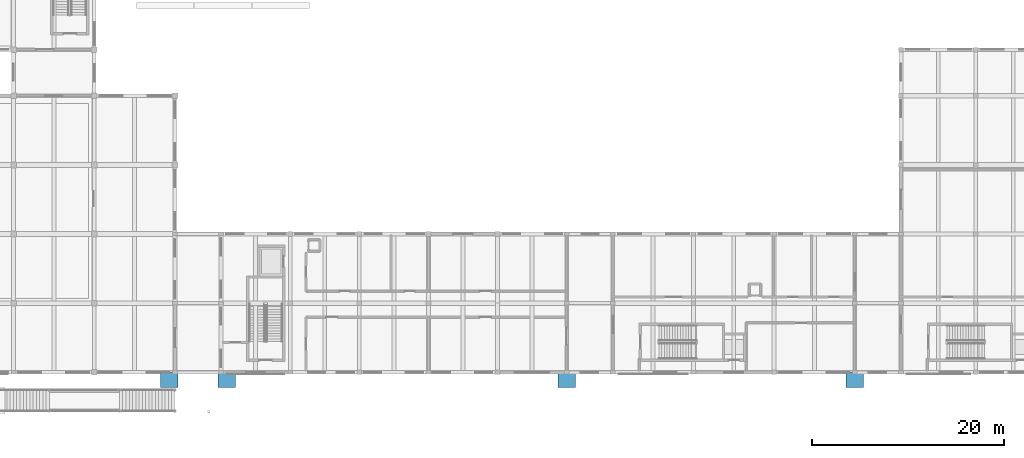
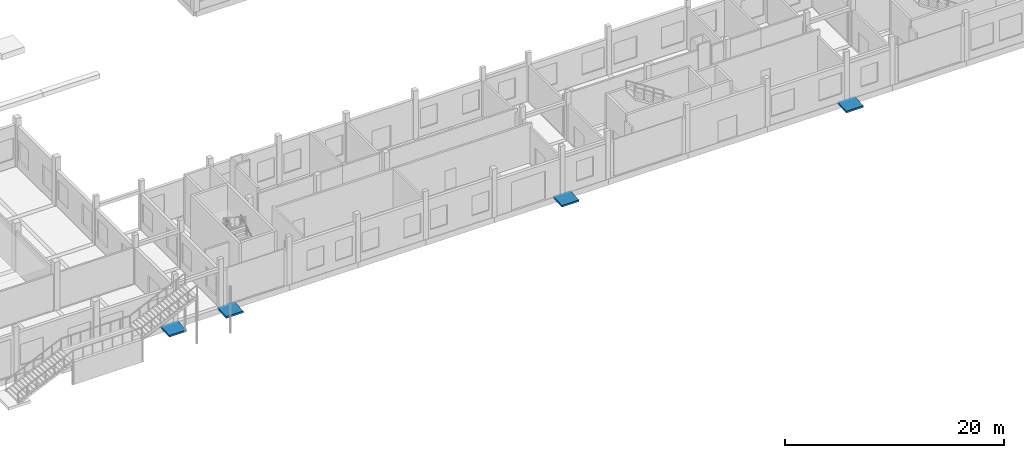
# One storey, part 30 of 41: 4 ramp flights, 4 elements without a shape of their own.
"""IFC4 building model written with IfcOpenShell, lengths in metres."""

from ifc_helpers import new_model, si_unit, direction, frame, origin, place, context, subcontext, project, spatial, polyline, outline, extrude, material, layer, layer_set, type_object, element, aggregate, save


model = new_model("IFC4")

# Units and contexts
model_context = context("Model", 3, precision=1e-05, world=origin(), true_north=direction((0.0, 1.0)))
body_context = subcontext(model_context, "Body", "Model", "MODEL_VIEW")
ifc_project = project(units=[si_unit("LENGTHUNIT", "METRE"), si_unit("AREAUNIT", "SQUARE_METRE"), si_unit("VOLUMEUNIT", "CUBIC_METRE"), si_unit("PLANEANGLEUNIT", "RADIAN"), si_unit("MASSUNIT", "GRAM", prefix="KILO")], contexts=[model_context])

# Site, building, storey
site_placement = place(None, origin())
site = spatial("IfcSite", under=ifc_project, at=site_placement, CompositionType="ELEMENT")
building_placement = place(site_placement, origin())
building = spatial("IfcBuilding", under=site, at=building_placement, Name="Kahlenmark Community Centre", CompositionType="ELEMENT")
storey_placement = place(building_placement, origin())
storey = spatial("IfcBuildingStorey", under=building, at=storey_placement, Name="L00", CompositionType="ELEMENT", Elevation=0.0)

# Ramp, ramp flight
ifc_material = material(Name="Concrete C35/45", Category="concrete")
ramp_type = type_object("IfcRampType", Name="RPT-ACC-180", PredefinedType="STRAIGHT_RUN_RAMP", material=ifc_material)
ramp_1_placement = place(storey_placement, origin())
ramp_1 = element("IfcRamp", 1, at=ramp_1_placement, inside=storey, type_object=ramp_type, Name="Accessible threshold ramp RMP-ACC-01", PredefinedType="STRAIGHT_RUN_RAMP")
ifc_layer = layer(ifc_material, 0.199951171875)
ifc_layer_set = layer_set([ifc_layer], Name="Concrete C35/45")
ramp_flight_type = type_object("IfcRampFlightType", Name="RFT-ACC-180", PredefinedType="STRAIGHT", material=ifc_layer_set)
ramp_flight_1_placement = place(storey_placement, frame((45.39990234375, 7.199951171875, -0.080078125), z_axis=(0.0, 0.0, 1.0), x_axis=(0.0, 1.0, 0.0)))
ramp_flight_1 = element("IfcRampFlight", 2, at=ramp_flight_1_placement, type_object=ramp_flight_type, Name="RMP-ACC-01 flight", PredefinedType="STRAIGHT", context=body_context, shape_type="SweptSolid", body=[
    extrude(outline(polyline([(0.0, 0.0), (1.60009765625, 0.080078125), (1.60009765625, -0.119873046875), (0.0, -0.199951171875), (0.0, 0.0)])), frame((0.0, 0.89990234375, 0.0), z_axis=(0.0, -1.0, 0.0), x_axis=(1.0, 0.0, 0.0)), (0.0, 0.0, 1.0), 1.800048828125),
])
aggregate(ramp_1, [ramp_flight_1])

ramp_2_placement = place(storey_placement, origin())
ramp_2 = element("IfcRamp", 3, at=ramp_2_placement, inside=storey, type_object=ramp_type, Name="Accessible threshold ramp RMP-ACC-02", PredefinedType="STRAIGHT_RUN_RAMP")
ramp_flight_2_placement = place(storey_placement, frame((51.39990234375, 7.199951171875, -0.080078125), z_axis=(0.0, 0.0, 1.0), x_axis=(0.0, 1.0, 0.0)))
ramp_flight_2 = element("IfcRampFlight", 4, at=ramp_flight_2_placement, type_object=ramp_flight_type, Name="RMP-ACC-02 flight", PredefinedType="STRAIGHT", context=body_context, shape_type="SweptSolid", body=[
    extrude(outline(polyline([(0.0, 0.0), (1.60009765625, 0.080078125), (1.60009765625, -0.119873046875), (0.0, -0.199951171875), (0.0, 0.0)])), frame((0.0, 0.89990234375, 0.0), z_axis=(0.0, -1.0, 0.0), x_axis=(1.0, 0.0, 0.0)), (0.0, 0.0, 1.0), 1.800048828125),
])
aggregate(ramp_2, [ramp_flight_2])

ramp_3_placement = place(storey_placement, origin())
ramp_3 = element("IfcRamp", 5, at=ramp_3_placement, inside=storey, type_object=ramp_type, Name="Accessible threshold ramp RMP-ACC-03", PredefinedType="STRAIGHT_RUN_RAMP")
ramp_flight_3_placement = place(storey_placement, frame((86.800048828125, 7.199951171875, -0.080078125), z_axis=(0.0, 0.0, 1.0), x_axis=(0.0, 1.0, 0.0)))
ramp_flight_3 = element("IfcRampFlight", 6, at=ramp_flight_3_placement, type_object=ramp_flight_type, Name="RMP-ACC-03 flight", PredefinedType="STRAIGHT", context=body_context, shape_type="SweptSolid", body=[
    extrude(outline(polyline([(0.0, 0.0), (1.60009765625, 0.080078125), (1.60009765625, -0.119873046875), (0.0, -0.199951171875), (0.0, 0.0)])), frame((0.0, 0.89990234375, 0.0), z_axis=(0.0, -1.0, 0.0), x_axis=(1.0, 0.0, 0.0)), (0.0, 0.0, 1.0), 1.800048828125),
])
aggregate(ramp_3, [ramp_flight_3])

ramp_4_placement = place(storey_placement, origin())
ramp_4 = element("IfcRamp", 7, at=ramp_4_placement, inside=storey, type_object=ramp_type, Name="Accessible threshold ramp RMP-ACC-04", PredefinedType="STRAIGHT_RUN_RAMP")
ramp_flight_4_placement = place(storey_placement, frame((116.800048828125, 7.199951171875, -0.080078125), z_axis=(0.0, 0.0, 1.0), x_axis=(0.0, 1.0, 0.0)))
ramp_flight_4 = element("IfcRampFlight", 8, at=ramp_flight_4_placement, type_object=ramp_flight_type, Name="RMP-ACC-04 flight", PredefinedType="STRAIGHT", context=body_context, shape_type="SweptSolid", body=[
    extrude(outline(polyline([(0.0, 0.0), (1.60009765625, 0.080078125), (1.60009765625, -0.119873046875), (0.0, -0.199951171875), (0.0, 0.0)])), frame((0.0, 0.89990234375, 0.0), z_axis=(0.0, -1.0, 0.0), x_axis=(1.0, 0.0, 0.0)), (0.0, 0.0, 1.0), 1.800048828125),
])
aggregate(ramp_4, [ramp_flight_4])

save(model, "model.ifc")
